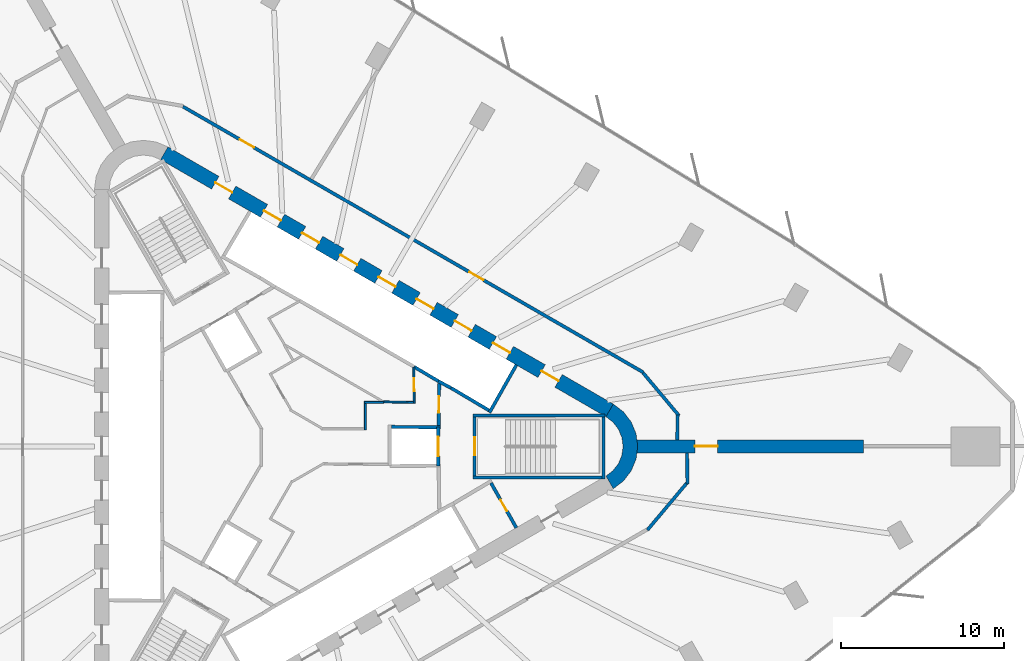
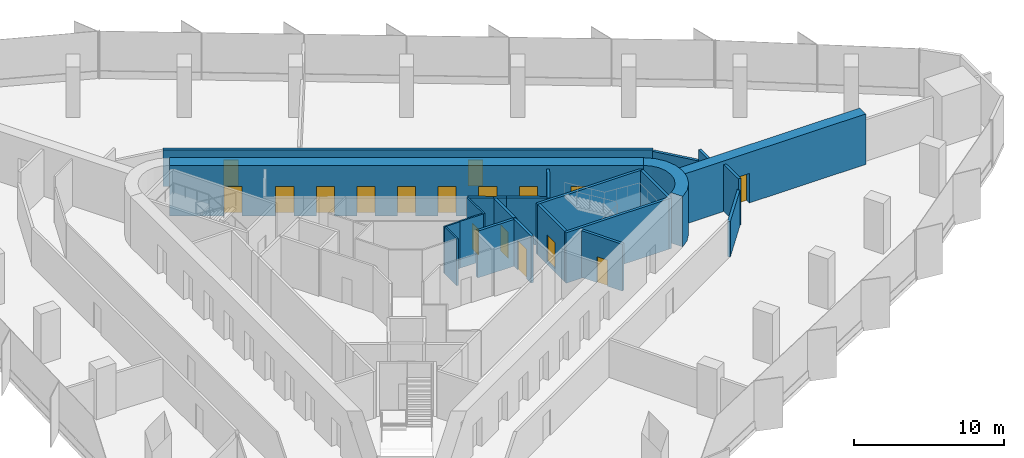
# One storey, part 11 of 13: 24 walls, 17 doors, 17 openings.
"""IFC4 building model written with IfcOpenShell, lengths in metres."""

from ifc_helpers import new_model, si_unit, direction, frame, frame_2d, origin, place, context, subcontext, project, spatial, polyline, rectangle, outline, extrude, material, layer, layer_set, type_object, element, fill, save


model = new_model("IFC4")

# Units and contexts
model_context = context("Model", 3, precision=1e-05, world=origin(), true_north=direction((0.0, 1.0)))
body_context = subcontext(model_context, "Body", "Model", "MODEL_VIEW")
ifc_project = project(units=[si_unit("LENGTHUNIT", "METRE"), si_unit("AREAUNIT", "SQUARE_METRE"), si_unit("VOLUMEUNIT", "CUBIC_METRE"), si_unit("PLANEANGLEUNIT", "RADIAN"), si_unit("MASSUNIT", "GRAM", prefix="KILO")], contexts=[model_context])

# Site, building, storey
site_placement = place(None, origin())
site = spatial("IfcSite", under=ifc_project, at=site_placement, CompositionType="ELEMENT")
building_placement = place(site_placement, origin())
building = spatial("IfcBuilding", under=site, at=building_placement, Name="Tanit Gate Tower", CompositionType="ELEMENT")
storey_placement = place(building_placement, frame((0.0, 0.0, 61.89990234375)))
storey = spatial("IfcBuildingStorey", under=building, at=storey_placement, Name="L11", CompositionType="ELEMENT", Elevation=61.89990234375)

# Wall, opening, door
ifc_material_1 = material(Name="Concrete C60/75", Category="concrete")
ifc_layer_1 = layer(ifc_material_1, 0.800048828125)
ifc_layer_set_1 = layer_set([ifc_layer_1], Name="BUTTRESS FIN 800 C60/75")
wall_type_1 = type_object("IfcWallType", Name="BUTTRESS FIN 800 C60/75", PredefinedType="SHEAR", material=ifc_layer_set_1)
wall_1_placement = place(storey_placement, frame((21.14990234375, 0.0, 0.0), z_axis=(0.0, 0.0, 1.0), x_axis=(1.0, 0.0, 0.0)))
wall_1 = element("IfcWall", 1, at=wall_1_placement, inside=storey, type_object=wall_type_1, Name="BUTTRESS FIN", PredefinedType="SHEAR", context=body_context, shape_type="SweptSolid", body=[
    extrude(rectangle(XDim=13.884033203125, YDim=0.800048828125, at=frame_2d((6.94189453125, 0.0))), origin(), (0.0, 0.0, 1.0), 4.10009765625),
])
opening_1_placement = place(wall_1_placement, frame((3.550048828125, 0.0, 0.0)))
opening_1 = element("IfcOpeningElement", 2, at=opening_1_placement, cuts=wall_1, Name="Opening P14-S01-F-E-1", PredefinedType="OPENING", context=body_context, shape_type="SweptSolid", body=[
    extrude(rectangle(XDim=1.39990234375, YDim=2.39990234375, at=frame_2d((0.699951171875, 1.199951171875))), frame((0.0, 0.41015625, 0.0), z_axis=(0.0, -1.0, 0.0), x_axis=(1.0, 0.0, 0.0)), (0.0, 0.0, 1.0), 0.820068359375),
])
ifc_material_2 = material(Name="Timber door leaf", Category="wood")
door_type_1 = type_object("IfcDoorType", Name="INT-DOOR-FIN-PAIR-1400", OperationType="NOTDEFINED", PredefinedType="NOTDEFINED", material=ifc_material_2)
door_1_placement = place(opening_1_placement, origin())
door_1 = element("IfcDoor", 3, at=door_1_placement, inside=storey, type_object=door_type_1, Name="Door P14-S01-F-E-1", OperationType="DOUBLE_DOOR_SINGLE_SWING", OverallHeight=2.39990234375, OverallWidth=1.39990234375, PredefinedType="NOTDEFINED", context=body_context, shape_type="SweptSolid", body=[
    extrude(rectangle(XDim=1.39990234375, YDim=2.39990234375, at=frame_2d((0.699951171875, 1.199951171875))), frame((0.0, 0.02490234375, 0.0), z_axis=(0.0, -1.0, 0.0), x_axis=(1.0, 0.0, 0.0)), (0.0, 0.0, 1.0), 0.050048828125),
])
fill(opening_1, door_1)

# Wall, openings, doors
ifc_material_3 = material(Name="Concrete C60/75", Category="concrete")
ifc_layer_2 = layer(ifc_material_3, 0.89990234375)
ifc_layer_set_2 = layer_set([ifc_layer_2], Name="CORE WALL 900 C60/75")
wall_type_2 = type_object("IfcWallType", Name="CORE WALL 900 C60/75", PredefinedType="SHEAR", material=ifc_layer_set_2)
wall_2_placement = place(storey_placement, frame((19.47509765625, 2.20849609375, 0.0), z_axis=(0.0, 0.0, 1.0), x_axis=(-0.866028369851, 0.499994862586, 0.0)))
wall_2 = element("IfcWall", 4, at=wall_2_placement, inside=storey, type_object=wall_type_2, Name="CORE WALL", PredefinedType="SHEAR", context=body_context, shape_type="SweptSolid", body=[
    extrude(rectangle(XDim=31.523193359375, YDim=0.89990234375, at=frame_2d((15.76171875, 0.0))), origin(), (0.0, 0.0, 1.0), 4.10009765625),
])
opening_2_placement = place(wall_2_placement, frame((7.0615234375, 0.0, 0.0)))
opening_2 = element("IfcOpeningElement", 5, at=opening_2_placement, cuts=wall_2, Name="Opening LDLL8-S01", PredefinedType="OPENING", context=body_context, shape_type="SweptSolid", body=[
    extrude(rectangle(XDim=1.199951171875, YDim=2.39990234375, at=frame_2d((0.60009765625, 1.199951171875))), frame((0.0, 0.4599609375, 0.0), z_axis=(0.0, -1.0, 0.0), x_axis=(1.0, 0.0, 0.0)), (0.0, 0.0, 1.0), 0.919921875),
])
opening_3_placement = place(wall_2_placement, frame((9.76171875, 0.0, 0.0)))
opening_3 = element("IfcOpeningElement", 6, at=opening_3_placement, cuts=wall_2, Name="Opening LDLL9-S01", PredefinedType="OPENING", context=body_context, shape_type="SweptSolid", body=[
    extrude(rectangle(XDim=1.199951171875, YDim=2.39990234375, at=frame_2d((0.60009765625, 1.199951171875))), frame((0.0, 0.4599609375, 0.0), z_axis=(0.0, -1.0, 0.0), x_axis=(1.0, 0.0, 0.0)), (0.0, 0.0, 1.0), 0.919921875),
])
opening_4_placement = place(wall_2_placement, frame((12.461669921875, 0.0, 0.0)))
opening_4 = element("IfcOpeningElement", 7, at=opening_4_placement, cuts=wall_2, Name="Opening LDLL10-S01", PredefinedType="OPENING", context=body_context, shape_type="SweptSolid", body=[
    extrude(rectangle(XDim=1.199951171875, YDim=2.39990234375, at=frame_2d((0.60009765625, 1.199951171875))), frame((0.0, 0.4599609375, 0.0), z_axis=(0.0, -1.0, 0.0), x_axis=(1.0, 0.0, 0.0)), (0.0, 0.0, 1.0), 0.919921875),
])
opening_5_placement = place(wall_2_placement, frame((15.16162109375, 0.0, 0.0)))
opening_5 = element("IfcOpeningElement", 8, at=opening_5_placement, cuts=wall_2, Name="Opening LDSL1-S01", PredefinedType="OPENING", context=body_context, shape_type="SweptSolid", body=[
    extrude(rectangle(XDim=1.199951171875, YDim=2.39990234375, at=frame_2d((0.60009765625, 1.199951171875))), frame((0.0, 0.4599609375, 0.0), z_axis=(0.0, -1.0, 0.0), x_axis=(1.0, 0.0, 0.0)), (0.0, 0.0, 1.0), 0.919921875),
])
opening_6_placement = place(wall_2_placement, frame((17.861572265625, 0.0, 0.0)))
opening_6 = element("IfcOpeningElement", 9, at=opening_6_placement, cuts=wall_2, Name="Opening LDSL2-S01", PredefinedType="OPENING", context=body_context, shape_type="SweptSolid", body=[
    extrude(rectangle(XDim=1.199951171875, YDim=2.39990234375, at=frame_2d((0.60009765625, 1.199951171875))), frame((0.0, 0.4599609375, 0.0), z_axis=(0.0, -1.0, 0.0), x_axis=(1.0, 0.0, 0.0)), (0.0, 0.0, 1.0), 0.919921875),
])
opening_7_placement = place(wall_2_placement, frame((20.5615234375, 0.0, 0.0)))
opening_7 = element("IfcOpeningElement", 10, at=opening_7_placement, cuts=wall_2, Name="Opening LDSL3-S01", PredefinedType="OPENING", context=body_context, shape_type="SweptSolid", body=[
    extrude(rectangle(XDim=1.199951171875, YDim=2.39990234375, at=frame_2d((0.60009765625, 1.199951171875))), frame((0.0, 0.4599609375, 0.0), z_axis=(0.0, -1.0, 0.0), x_axis=(1.0, 0.0, 0.0)), (0.0, 0.0, 1.0), 0.919921875),
])
opening_8_placement = place(wall_2_placement, frame((23.26171875, 0.0, 0.0)))
opening_8 = element("IfcOpeningElement", 11, at=opening_8_placement, cuts=wall_2, Name="Opening LDSL4-S01", PredefinedType="OPENING", context=body_context, shape_type="SweptSolid", body=[
    extrude(rectangle(XDim=1.199951171875, YDim=2.39990234375, at=frame_2d((0.60009765625, 1.199951171875))), frame((0.0, 0.4599609375, 0.0), z_axis=(0.0, -1.0, 0.0), x_axis=(1.0, 0.0, 0.0)), (0.0, 0.0, 1.0), 0.919921875),
])
opening_9_placement = place(wall_2_placement, frame((3.611572265625, 0.0, 0.0)))
opening_9 = element("IfcOpeningElement", 12, at=opening_9_placement, cuts=wall_2, Name="Opening F12-S01-FL1", PredefinedType="OPENING", context=body_context, shape_type="SweptSolid", body=[
    extrude(rectangle(XDim=1.199951171875, YDim=2.39990234375, at=frame_2d((0.60009765625, 1.199951171875))), frame((0.0, 0.4599609375, 0.0), z_axis=(0.0, -1.0, 0.0), x_axis=(1.0, 0.0, 0.0)), (0.0, 0.0, 1.0), 0.919921875),
])
opening_10_placement = place(wall_2_placement, frame((26.711669921875, 0.0, 0.0)))
opening_10 = element("IfcOpeningElement", 13, at=opening_10_placement, cuts=wall_2, Name="Opening F12-S01-S2", PredefinedType="OPENING", context=body_context, shape_type="SweptSolid", body=[
    extrude(rectangle(XDim=1.199951171875, YDim=2.39990234375, at=frame_2d((0.60009765625, 1.199951171875))), frame((0.0, 0.4599609375, 0.0), z_axis=(0.0, -1.0, 0.0), x_axis=(1.0, 0.0, 0.0)), (0.0, 0.0, 1.0), 0.919921875),
])
ifc_material_4 = material(Name="Fire-rated steel door leaf", Category="steel")
door_type_2 = type_object("IfcDoorType", Name="INT-DOOR-FIRE-LOBBY-1200", OperationType="NOTDEFINED", PredefinedType="USERDEFINED", material=ifc_material_4)
door_2_placement = place(opening_9_placement, origin())
door_2 = element("IfcDoor", 14, at=door_2_placement, inside=storey, type_object=door_type_2, Name="Door F12-S01-FL1", ObjectType="FIRE DOOR", OperationType="SINGLE_SWING_RIGHT", OverallHeight=2.39990234375, OverallWidth=1.199951171875, PredefinedType="USERDEFINED", context=body_context, shape_type="SweptSolid", body=[
    extrude(rectangle(XDim=1.199951171875, YDim=2.39990234375, at=frame_2d((0.60009765625, 1.199951171875))), frame((0.0, 0.02490234375, 0.0), z_axis=(0.0, -1.0, 0.0), x_axis=(1.0, 0.0, 0.0)), (0.0, 0.0, 1.0), 0.050048828125),
])
fill(opening_9, door_2)
door_3_placement = place(opening_10_placement, origin())
door_3 = element("IfcDoor", 15, at=door_3_placement, inside=storey, type_object=door_type_2, Name="Door F12-S01-S2", ObjectType="FIRE DOOR", OperationType="SINGLE_SWING_RIGHT", OverallHeight=2.39990234375, OverallWidth=1.199951171875, PredefinedType="USERDEFINED", context=body_context, shape_type="SweptSolid", body=[
    extrude(rectangle(XDim=1.199951171875, YDim=2.39990234375, at=frame_2d((0.60009765625, 1.199951171875))), frame((0.0, 0.02490234375, 0.0), z_axis=(0.0, -1.0, 0.0), x_axis=(1.0, 0.0, 0.0)), (0.0, 0.0, 1.0), 0.050048828125),
])
fill(opening_10, door_3)
ifc_material_5 = material(Name="Stainless steel sliding door leaf", Category="steel")
door_type_3 = type_object("IfcDoorType", Name="INT-DOOR-LANDING-1200", OperationType="NOTDEFINED", PredefinedType="USERDEFINED", material=ifc_material_5)
door_4_placement = place(opening_2_placement, origin())
door_4 = element("IfcDoor", 16, at=door_4_placement, inside=storey, type_object=door_type_3, Name="Door LDLL8-S01", ObjectType="LANDING DOOR", OperationType="SLIDING_TO_LEFT", OverallHeight=2.39990234375, OverallWidth=1.199951171875, PredefinedType="USERDEFINED", context=body_context, shape_type="SweptSolid", body=[
    extrude(rectangle(XDim=1.199951171875, YDim=2.39990234375, at=frame_2d((0.60009765625, 1.199951171875))), frame((0.0, 0.02490234375, 0.0), z_axis=(0.0, -1.0, 0.0), x_axis=(1.0, 0.0, 0.0)), (0.0, 0.0, 1.0), 0.050048828125),
])
fill(opening_2, door_4)
door_5_placement = place(opening_3_placement, origin())
door_5 = element("IfcDoor", 17, at=door_5_placement, inside=storey, type_object=door_type_3, Name="Door LDLL9-S01", ObjectType="LANDING DOOR", OperationType="SLIDING_TO_LEFT", OverallHeight=2.39990234375, OverallWidth=1.199951171875, PredefinedType="USERDEFINED", context=body_context, shape_type="SweptSolid", body=[
    extrude(rectangle(XDim=1.199951171875, YDim=2.39990234375, at=frame_2d((0.60009765625, 1.199951171875))), frame((0.0, 0.02490234375, 0.0), z_axis=(0.0, -1.0, 0.0), x_axis=(1.0, 0.0, 0.0)), (0.0, 0.0, 1.0), 0.050048828125),
])
fill(opening_3, door_5)
door_6_placement = place(opening_4_placement, origin())
door_6 = element("IfcDoor", 18, at=door_6_placement, inside=storey, type_object=door_type_3, Name="Door LDLL10-S01", ObjectType="LANDING DOOR", OperationType="SLIDING_TO_LEFT", OverallHeight=2.39990234375, OverallWidth=1.199951171875, PredefinedType="USERDEFINED", context=body_context, shape_type="SweptSolid", body=[
    extrude(rectangle(XDim=1.199951171875, YDim=2.39990234375, at=frame_2d((0.60009765625, 1.199951171875))), frame((0.0, 0.02490234375, 0.0), z_axis=(0.0, -1.0, 0.0), x_axis=(1.0, 0.0, 0.0)), (0.0, 0.0, 1.0), 0.050048828125),
])
fill(opening_4, door_6)
door_7_placement = place(opening_5_placement, origin())
door_7 = element("IfcDoor", 19, at=door_7_placement, inside=storey, type_object=door_type_3, Name="Door LDSL1-S01", ObjectType="LANDING DOOR", OperationType="SLIDING_TO_LEFT", OverallHeight=2.39990234375, OverallWidth=1.199951171875, PredefinedType="USERDEFINED", context=body_context, shape_type="SweptSolid", body=[
    extrude(rectangle(XDim=1.199951171875, YDim=2.39990234375, at=frame_2d((0.60009765625, 1.199951171875))), frame((0.0, 0.02490234375, 0.0), z_axis=(0.0, -1.0, 0.0), x_axis=(1.0, 0.0, 0.0)), (0.0, 0.0, 1.0), 0.050048828125),
])
fill(opening_5, door_7)
door_8_placement = place(opening_6_placement, origin())
door_8 = element("IfcDoor", 20, at=door_8_placement, inside=storey, type_object=door_type_3, Name="Door LDSL2-S01", ObjectType="LANDING DOOR", OperationType="SLIDING_TO_LEFT", OverallHeight=2.39990234375, OverallWidth=1.199951171875, PredefinedType="USERDEFINED", context=body_context, shape_type="SweptSolid", body=[
    extrude(rectangle(XDim=1.199951171875, YDim=2.39990234375, at=frame_2d((0.60009765625, 1.199951171875))), frame((0.0, 0.02490234375, 0.0), z_axis=(0.0, -1.0, 0.0), x_axis=(1.0, 0.0, 0.0)), (0.0, 0.0, 1.0), 0.050048828125),
])
fill(opening_6, door_8)
door_9_placement = place(opening_7_placement, origin())
door_9 = element("IfcDoor", 21, at=door_9_placement, inside=storey, type_object=door_type_3, Name="Door LDSL3-S01", ObjectType="LANDING DOOR", OperationType="SLIDING_TO_LEFT", OverallHeight=2.39990234375, OverallWidth=1.199951171875, PredefinedType="USERDEFINED", context=body_context, shape_type="SweptSolid", body=[
    extrude(rectangle(XDim=1.199951171875, YDim=2.39990234375, at=frame_2d((0.60009765625, 1.199951171875))), frame((0.0, 0.02490234375, 0.0), z_axis=(0.0, -1.0, 0.0), x_axis=(1.0, 0.0, 0.0)), (0.0, 0.0, 1.0), 0.050048828125),
])
fill(opening_7, door_9)
door_10_placement = place(opening_8_placement, origin())
door_10 = element("IfcDoor", 22, at=door_10_placement, inside=storey, type_object=door_type_3, Name="Door LDSL4-S01", ObjectType="LANDING DOOR", OperationType="SLIDING_TO_LEFT", OverallHeight=2.39990234375, OverallWidth=1.199951171875, PredefinedType="USERDEFINED", context=body_context, shape_type="SweptSolid", body=[
    extrude(rectangle(XDim=1.199951171875, YDim=2.39990234375, at=frame_2d((0.60009765625, 1.199951171875))), frame((0.0, 0.02490234375, 0.0), z_axis=(0.0, -1.0, 0.0), x_axis=(1.0, 0.0, 0.0)), (0.0, 0.0, 1.0), 0.050048828125),
])
fill(opening_8, door_10)

# Wall
wall_3_placement = place(storey_placement, origin())
element("IfcWall", 23, at=wall_3_placement, inside=storey, type_object=wall_type_2, Name="CORE WALL CORNER", PredefinedType="SHEAR", context=body_context, shape_type="SweptSolid", body=[
    extrude(outline(polyline([(19.699951171875, -2.59814453125), (20.3212890625, -2.121337890625), (20.798095703125, -1.5), (21.097900390625, -0.776611328125), (21.199951171875, 0.0), (21.097900390625, 0.776611328125), (20.798095703125, 1.5), (20.3212890625, 2.121337890625), (19.699951171875, 2.59814453125), (19.25, 1.818603515625), (19.684814453125, 1.48486328125), (20.018798828125, 1.050048828125), (20.228515625, 0.54345703125), (20.300048828125, 0.0), (20.228515625, -0.54345703125), (20.018798828125, -1.050048828125), (19.684814453125, -1.48486328125), (19.25, -1.818603515625), (19.699951171875, -2.59814453125)])), origin(), (0.0, 0.0, 1.0), 4.10009765625),
])

# Wall, opening, door
ifc_material_6 = material(Name="Fire-rated gypsum board partition")
ifc_layer_3 = layer(ifc_material_6, 0.199951171875)
ifc_layer_set_3 = layer_set([ifc_layer_3], Name="INT-WALL-COMPARTMENT")
wall_type_3 = type_object("IfcWallType", Name="INT-WALL-COMPARTMENT", PredefinedType="PARTITIONING", material=ifc_layer_set_3)
wall_4_placement = place(storey_placement, frame((13.758056640625, -4.989501953125, 0.0), z_axis=(0.0, 0.0, 1.0), x_axis=(-0.491993409184, 0.87059892334, 0.0)))
wall_4 = element("IfcWall", 24, at=wall_4_placement, inside=storey, type_object=wall_type_3, Name="Wall Compartment W058", PredefinedType="PARTITIONING", context=body_context, shape_type="SweptSolid", body=[
    extrude(rectangle(XDim=3.150146484375, YDim=0.199951171875, at=frame_2d((1.5751953125, 0.0))), origin(), (0.0, 0.0, 1.0), 3.800048828125),
])
opening_11_placement = place(wall_4_placement, frame((1.175048828125, 0.0, 0.0)))
opening_11 = element("IfcOpeningElement", 25, at=opening_11_placement, cuts=wall_4, Name="Opening R08-S01-14", PredefinedType="OPENING", context=body_context, shape_type="SweptSolid", body=[
    extrude(rectangle(XDim=0.800048828125, YDim=2.10009765625, at=frame_2d((0.39990234375, 1.050048828125))), frame((0.0, 0.10986328125, 0.0), z_axis=(0.0, -1.0, 0.0), x_axis=(1.0, 0.0, 0.0)), (0.0, 0.0, 1.0), 0.219970703125),
])
ifc_material_7 = material(Name="Timber door leaf", Category="wood")
door_type_4 = type_object("IfcDoorType", Name="INT-DOOR-RISER-800", OperationType="NOTDEFINED", PredefinedType="USERDEFINED", material=ifc_material_7)
door_11_placement = place(opening_11_placement, origin())
door_11 = element("IfcDoor", 26, at=door_11_placement, inside=storey, type_object=door_type_4, Name="Door R08-S01-14", ObjectType="FIRE DOOR", OperationType="SINGLE_SWING_RIGHT", OverallHeight=2.10009765625, OverallWidth=0.800048828125, PredefinedType="USERDEFINED", context=body_context, shape_type="SweptSolid", body=[
    extrude(rectangle(XDim=0.800048828125, YDim=2.10009765625, at=frame_2d((0.39990234375, 1.050048828125))), frame((0.0, 0.02490234375, 0.0), z_axis=(0.0, -1.0, 0.0), x_axis=(1.0, 0.0, 0.0)), (0.0, 0.0, 1.0), 0.050048828125),
])
fill(opening_11, door_11)

wall_5_placement = place(storey_placement, frame((9.0009765625, 1.27001953125, 0.0), z_axis=(0.0, 0.0, 1.0), x_axis=(0.010783593937, 0.99994185536, 0.0)))
wall_5 = element("IfcWall", 27, at=wall_5_placement, inside=storey, type_object=wall_type_3, Name="Wall Compartment W060", PredefinedType="PARTITIONING", context=body_context, shape_type="SweptSolid", body=[
    extrude(rectangle(XDim=2.5810546875, YDim=0.199951171875, at=frame_2d((1.29052734375, 0.0))), origin(), (0.0, 0.0, 1.0), 3.800048828125),
])
opening_12_placement = place(wall_5_placement, frame((0.79052734375, 0.0, 0.0)))
opening_12 = element("IfcOpeningElement", 28, at=opening_12_placement, cuts=wall_5, Name="Opening F10-S01-02", PredefinedType="OPENING", context=body_context, shape_type="SweptSolid", body=[
    extrude(rectangle(XDim=1.0, YDim=2.10009765625, at=frame_2d((0.5, 1.050048828125))), frame((0.0, 0.10986328125, 0.0), z_axis=(0.0, -1.0, 0.0), x_axis=(1.0, 0.0, 0.0)), (0.0, 0.0, 1.0), 0.219970703125),
])
ifc_material_8 = material(Name="Fire-rated steel door leaf", Category="steel")
door_type_5 = type_object("IfcDoorType", Name="INT-DOOR-FIRE-1000", OperationType="NOTDEFINED", PredefinedType="USERDEFINED", material=ifc_material_8)
door_12_placement = place(opening_12_placement, origin())
door_12 = element("IfcDoor", 29, at=door_12_placement, inside=storey, type_object=door_type_5, Name="Door F10-S01-02", ObjectType="FIRE DOOR", OperationType="SINGLE_SWING_RIGHT", OverallHeight=2.10009765625, OverallWidth=1.0, PredefinedType="USERDEFINED", context=body_context, shape_type="SweptSolid", body=[
    extrude(rectangle(XDim=1.0, YDim=2.10009765625, at=frame_2d((0.5, 1.050048828125))), frame((0.0, 0.02490234375, 0.0), z_axis=(0.0, -1.0, 0.0), x_axis=(1.0, 0.0, 0.0)), (0.0, 0.0, 1.0), 0.050048828125),
])
fill(opening_12, door_12)

# Wall, openings, doors
wall_6_placement = place(storey_placement, frame((21.55224609375, 4.53076171875, 0.0), z_axis=(0.0, 0.0, 1.0), x_axis=(-0.866023703603, 0.500002944789, 0.0)))
wall_6 = element("IfcWall", 30, at=wall_6_placement, inside=storey, type_object=wall_type_3, Name="Wall Compartment W104", PredefinedType="PARTITIONING", context=body_context, shape_type="SweptSolid", body=[
    extrude(rectangle(XDim=32.598876953125, YDim=0.199951171875, at=frame_2d((16.29931640625, 0.0))), origin(), (0.0, 0.0, 1.0), 2.97998046875),
])
opening_13_placement = place(wall_6_placement, frame((27.5791015625, 0.0, 0.0)))
opening_13 = element("IfcOpeningElement", 31, at=opening_13_placement, cuts=wall_6, Name="Opening F10-S01-22", PredefinedType="OPENING", context=body_context, shape_type="SweptSolid", body=[
    extrude(rectangle(XDim=1.0, YDim=2.10009765625, at=frame_2d((0.5, 1.050048828125))), frame((0.0, 0.10986328125, 0.0), z_axis=(0.0, -1.0, 0.0), x_axis=(1.0, 0.0, 0.0)), (0.0, 0.0, 1.0), 0.219970703125),
])
opening_14_placement = place(wall_6_placement, frame((11.32958984375, 0.0, 0.0)))
opening_14 = element("IfcOpeningElement", 32, at=opening_14_placement, cuts=wall_6, Name="Opening F10-S01-23", PredefinedType="OPENING", context=body_context, shape_type="SweptSolid", body=[
    extrude(rectangle(XDim=1.0, YDim=2.10009765625, at=frame_2d((0.5, 1.050048828125))), frame((0.0, 0.10986328125, 0.0), z_axis=(0.0, -1.0, 0.0), x_axis=(1.0, 0.0, 0.0)), (0.0, 0.0, 1.0), 0.219970703125),
])
door_13_placement = place(opening_13_placement, origin())
door_13 = element("IfcDoor", 33, at=door_13_placement, inside=storey, type_object=door_type_5, Name="Door F10-S01-22", ObjectType="FIRE DOOR", OperationType="SINGLE_SWING_LEFT", OverallHeight=2.10009765625, OverallWidth=1.0, PredefinedType="USERDEFINED", context=body_context, shape_type="SweptSolid", body=[
    extrude(rectangle(XDim=1.0, YDim=2.10009765625, at=frame_2d((0.5, 1.050048828125))), frame((0.0, 0.02490234375, 0.0), z_axis=(0.0, -1.0, 0.0), x_axis=(1.0, 0.0, 0.0)), (0.0, 0.0, 1.0), 0.050048828125),
])
fill(opening_13, door_13)
door_14_placement = place(opening_14_placement, origin())
door_14 = element("IfcDoor", 34, at=door_14_placement, inside=storey, type_object=door_type_5, Name="Door F10-S01-23", ObjectType="FIRE DOOR", OperationType="SINGLE_SWING_LEFT", OverallHeight=2.10009765625, OverallWidth=1.0, PredefinedType="USERDEFINED", context=body_context, shape_type="SweptSolid", body=[
    extrude(rectangle(XDim=1.0, YDim=2.10009765625, at=frame_2d((0.5, 1.050048828125))), frame((0.0, 0.02490234375, 0.0), z_axis=(0.0, -1.0, 0.0), x_axis=(1.0, 0.0, 0.0)), (0.0, 0.0, 1.0), 0.050048828125),
])
fill(opening_14, door_14)

# Walls
wall_7_placement = place(storey_placement, frame((23.720458984375, 1.893798828125, 0.0), z_axis=(0.0, 0.0, 1.0), x_axis=(-0.642802187783, 0.766032210407, 0.0)))
element("IfcWall", 35, at=wall_7_placement, inside=storey, type_object=wall_type_3, Name="Wall Compartment W105", PredefinedType="PARTITIONING", context=body_context, shape_type="SweptSolid", body=[
    extrude(rectangle(XDim=3.40771484375, YDim=0.199951171875, at=frame_2d((1.703857421875, 0.0))), origin(), (0.0, 0.0, 1.0), 2.880126953125),
])
wall_8_placement = place(storey_placement, frame((23.622314453125, 0.39990234375, 0.0), z_axis=(0.0, 0.0, 1.0), x_axis=(0.015125657972, 0.999885600692, 0.0)))
element("IfcWall", 36, at=wall_8_placement, inside=storey, type_object=wall_type_3, Name="Wall Compartment W106", PredefinedType="PARTITIONING", context=body_context, shape_type="SweptSolid", body=[
    extrude(rectangle(XDim=1.533447265625, YDim=0.199951171875, at=frame_2d((0.7666015625, 0.0))), origin(), (0.0, 0.0, 1.0), 3.800048828125),
])
wall_9_placement = place(storey_placement, frame((24.247802734375, -2.316650390625, 0.0), z_axis=(0.0, 0.0, 1.0), x_axis=(-0.013627571522, 0.999907140336, 0.0)))
element("IfcWall", 37, at=wall_9_placement, inside=storey, type_object=wall_type_3, Name="Wall Compartment W107", PredefinedType="PARTITIONING", context=body_context, shape_type="SweptSolid", body=[
    extrude(rectangle(XDim=1.9169921875, YDim=0.199951171875, at=frame_2d((0.95849609375, 0.0))), origin(), (0.0, 0.0, 1.0), 3.800048828125),
])
wall_10_placement = place(storey_placement, frame((21.79296875, -5.124267578125, 0.0), z_axis=(0.0, 0.0, 1.0), x_axis=(0.642787733653, 0.766044339098, 0.0)))
element("IfcWall", 38, at=wall_10_placement, inside=storey, type_object=wall_type_3, Name="Wall Compartment W108", PredefinedType="PARTITIONING", context=body_context, shape_type="SweptSolid", body=[
    extrude(rectangle(XDim=3.767333984375, YDim=0.199951171875, at=frame_2d((1.8837890625, 0.0))), origin(), (0.0, 0.0, 1.0), 2.880126953125),
])

# Wall, opening, door
ifc_material_9 = material(Name="Gypsum board partition")
ifc_layer_4 = layer(ifc_material_9, 0.1201171875)
ifc_layer_set_4 = layer_set([ifc_layer_4], Name="INT-WALL-PARTITION")
wall_type_4 = type_object("IfcWallType", Name="INT-WALL-PARTITION", PredefinedType="PARTITIONING", material=ifc_layer_set_4)
wall_11_placement = place(storey_placement, frame((7.500732421875, 2.639892578125, 0.0), z_axis=(0.0, 0.0, 1.0), x_axis=(-0.01174194727, 0.999931060961, 0.0)))
wall_11 = element("IfcWall", 39, at=wall_11_placement, inside=storey, type_object=wall_type_4, Name="Wall Partition W077", PredefinedType="PARTITIONING", context=body_context, shape_type="SweptSolid", body=[
    extrude(rectangle(XDim=2.224853515625, YDim=0.1201171875, at=frame_2d((1.1123046875, 0.0))), origin(), (0.0, 0.0, 1.0), 3.800048828125),
])
opening_15_placement = place(wall_11_placement, frame((0.7421875, 0.0, 0.0)))
opening_15 = element("IfcOpeningElement", 40, at=opening_15_placement, cuts=wall_11, Name="Opening R08-S01-12", PredefinedType="OPENING", context=body_context, shape_type="SweptSolid", body=[
    extrude(rectangle(XDim=0.800048828125, YDim=2.10009765625, at=frame_2d((0.39990234375, 1.050048828125))), frame((0.0, 0.070068359375, 0.0), z_axis=(0.0, -1.0, 0.0), x_axis=(1.0, 0.0, 0.0)), (0.0, 0.0, 1.0), 0.14013671875),
])
door_15_placement = place(opening_15_placement, origin())
door_15 = element("IfcDoor", 41, at=door_15_placement, inside=storey, type_object=door_type_4, Name="Door R08-S01-12", ObjectType="FIRE DOOR", OperationType="SINGLE_SWING_LEFT", OverallHeight=2.10009765625, OverallWidth=0.800048828125, PredefinedType="USERDEFINED", context=body_context, shape_type="SweptSolid", body=[
    extrude(rectangle(XDim=0.800048828125, YDim=2.10009765625, at=frame_2d((0.39990234375, 1.050048828125))), frame((0.0, 0.02490234375, 0.0), z_axis=(0.0, -1.0, 0.0), x_axis=(1.0, 0.0, 0.0)), (0.0, 0.0, 1.0), 0.050048828125),
])
fill(opening_15, door_15)

# Walls
wall_12_placement = place(storey_placement, frame((5.616943359375, 2.72900390625, 0.0), z_axis=(0.0, 0.0, 1.0), x_axis=(0.999881424181, -0.015399271967, 0.0)))
element("IfcWall", 42, at=wall_12_placement, inside=storey, type_object=wall_type_4, Name="Wall Partition W078", PredefinedType="PARTITIONING", context=body_context, shape_type="SweptSolid", body=[
    extrude(rectangle(XDim=1.8232421875, YDim=0.1201171875, at=frame_2d((0.91162109375, 0.0))), origin(), (0.0, 0.0, 1.0), 3.800048828125),
])
wall_13_placement = place(storey_placement, frame((4.43994140625, 2.699951171875, 0.0), z_axis=(0.0, 0.0, 1.0), x_axis=(1.0, 0.0, 0.0)))
element("IfcWall", 43, at=wall_13_placement, inside=storey, type_object=wall_type_4, Name="Wall Partition W079", PredefinedType="PARTITIONING", context=body_context, shape_type="SweptSolid", body=[
    extrude(rectangle(XDim=1.1767578125, YDim=0.1201171875, at=frame_2d((0.58837890625, 0.0))), origin(), (0.0, 0.0, 1.0), 3.800048828125),
])
wall_14_placement = place(storey_placement, frame((4.5, 1.014892578125, 0.0), z_axis=(0.0, 0.0, 1.0), x_axis=(0.0, 1.0, 0.0)))
element("IfcWall", 44, at=wall_14_placement, inside=storey, type_object=wall_type_4, Name="Wall Partition W080", PredefinedType="PARTITIONING", context=body_context, shape_type="SweptSolid", body=[
    extrude(rectangle(XDim=1.625, YDim=0.1201171875, at=frame_2d((0.8125, 0.0))), origin(), (0.0, 0.0, 1.0), 3.800048828125),
])
ifc_material_10 = material(Name="Gypsum shaft wall system")
ifc_layer_5 = layer(ifc_material_10, 0.199951171875)
ifc_layer_set_5 = layer_set([ifc_layer_5], Name="INT-WALL-SHAFT")
wall_type_5 = type_object("IfcWallType", Name="INT-WALL-SHAFT", PredefinedType="PLUMBINGWALL", material=ifc_layer_set_5)
wall_15_placement = place(storey_placement, frame((12.10986328125, 2.07275390625, 0.0), z_axis=(0.0, 0.0, 1.0), x_axis=(0.49196600604, 0.870614408852, 0.0)))
element("IfcWall", 45, at=wall_15_placement, inside=storey, type_object=wall_type_5, Name="Wall Shaft W013", PredefinedType="PLUMBINGWALL", context=body_context, shape_type="SweptSolid", body=[
    extrude(rectangle(XDim=3.35009765625, YDim=0.199951171875, at=frame_2d((1.675048828125, 0.0))), origin(), (0.0, 0.0, 1.0), 3.800048828125),
])
wall_16_placement = place(storey_placement, frame((12.072998046875, 2.2109375, 0.0), z_axis=(0.0, 0.0, 1.0), x_axis=(-0.860438357912, 0.509554542943, 0.0)))
element("IfcWall", 46, at=wall_16_placement, inside=storey, type_object=wall_type_5, Name="Wall Shaft W014", PredefinedType="PLUMBINGWALL", context=body_context, shape_type="SweptSolid", body=[
    extrude(rectangle(XDim=2.700439453125, YDim=0.199951171875, at=frame_2d((1.35009765625, 0.0))), origin(), (0.0, 0.0, 1.0), 3.800048828125),
])
wall_17_placement = place(storey_placement, frame((9.74755859375, 3.583251953125, 0.0), z_axis=(0.0, 0.0, 1.0), x_axis=(-0.880917147855, 0.473270513147, 0.0)))
element("IfcWall", 47, at=wall_17_placement, inside=storey, type_object=wall_type_5, Name="Wall Shaft W015", PredefinedType="PLUMBINGWALL", context=body_context, shape_type="SweptSolid", body=[
    extrude(rectangle(XDim=0.8779296875, YDim=0.199951171875, at=frame_2d((0.43896484375, 0.0))), origin(), (0.0, 0.0, 1.0), 3.800048828125),
])
wall_18_placement = place(storey_placement, frame((9.07958984375, 3.93701171875, 0.0), z_axis=(0.0, 0.0, 1.0), x_axis=(-0.859981807212, 0.510324691999, 0.0)))
element("IfcWall", 48, at=wall_18_placement, inside=storey, type_object=wall_type_5, Name="Wall Shaft W016", PredefinedType="PLUMBINGWALL", context=body_context, shape_type="SweptSolid", body=[
    extrude(rectangle(XDim=1.8447265625, YDim=0.199951171875, at=frame_2d((0.92236328125, 0.0))), origin(), (0.0, 0.0, 1.0), 3.800048828125),
])

# Wall, opening, door
wall_19_placement = place(storey_placement, frame((8.969970703125, 1.199951171875, 0.0), z_axis=(0.0, 0.0, 1.0), x_axis=(0.0, -1.0, 0.0)))
wall_19 = element("IfcWall", 49, at=wall_19_placement, inside=storey, type_object=wall_type_5, Name="Wall Shaft W037", PredefinedType="PLUMBINGWALL", context=body_context, shape_type="SweptSolid", body=[
    extrude(rectangle(XDim=2.39990234375, YDim=0.199951171875, at=frame_2d((1.199951171875, 0.0))), origin(), (0.0, 0.0, 1.0), 3.800048828125),
])
opening_16_placement = place(wall_19_placement, frame((0.60009765625, 0.0, 0.0)))
opening_16 = element("IfcOpeningElement", 50, at=opening_16_placement, cuts=wall_19, Name="Opening LDFL1-L11", PredefinedType="OPENING", context=body_context, shape_type="SweptSolid", body=[
    extrude(rectangle(XDim=1.199951171875, YDim=2.39990234375, at=frame_2d((0.60009765625, 1.199951171875))), frame((0.0, 0.10986328125, 0.0), z_axis=(0.0, -1.0, 0.0), x_axis=(1.0, 0.0, 0.0)), (0.0, 0.0, 1.0), 0.219970703125),
])
door_16_placement = place(opening_16_placement, origin())
door_16 = element("IfcDoor", 51, at=door_16_placement, inside=storey, type_object=door_type_3, Name="Door LDFL1-L11", ObjectType="LANDING DOOR", OperationType="SLIDING_TO_LEFT", OverallHeight=2.39990234375, OverallWidth=1.199951171875, PredefinedType="USERDEFINED", context=body_context, shape_type="SweptSolid", body=[
    extrude(rectangle(XDim=1.199951171875, YDim=2.39990234375, at=frame_2d((0.60009765625, 1.199951171875))), frame((0.0, 0.02490234375, 0.0), z_axis=(0.0, -1.0, 0.0), x_axis=(1.0, 0.0, 0.0)), (0.0, 0.0, 1.0), 0.050048828125),
])
fill(opening_16, door_16)

# Walls
wall_20_placement = place(storey_placement, frame((9.10009765625, 1.1689453125, 0.0), z_axis=(0.0, 0.0, 1.0), x_axis=(-0.99994990606, 0.010009264196, 0.0)))
element("IfcWall", 52, at=wall_20_placement, inside=storey, type_object=wall_type_5, Name="Wall Shaft W040", PredefinedType="PLUMBINGWALL", context=body_context, shape_type="SweptSolid", body=[
    extrude(rectangle(XDim=3.000244140625, YDim=0.199951171875, at=frame_2d((1.5, 0.0))), origin(), (0.0, 0.0, 1.0), 3.800048828125),
])
ifc_material_11 = material(Name="Concrete C40/50", Category="concrete")
ifc_layer_6 = layer(ifc_material_11, 0.199951171875)
ifc_layer_set_6 = layer_set([ifc_layer_6], Name="INT-WALL-STAIR")
wall_type_6 = type_object("IfcWallType", Name="INT-WALL-STAIR", PredefinedType="SHEAR", material=ifc_layer_set_6)
wall_21_placement = place(storey_placement, frame((19.199951171875, 1.89990234375, -0.2998046875), z_axis=(0.0, 0.0, 1.0), x_axis=(-1.0, 0.0, 0.0)))
element("IfcWall", 53, at=wall_21_placement, inside=storey, type_object=wall_type_6, Name="Wall Stair W033", PredefinedType="SHEAR", context=body_context, shape_type="SweptSolid", body=[
    extrude(rectangle(XDim=8.099853515625, YDim=0.199951171875, at=frame_2d((4.0498046875, 0.0))), origin(), (0.0, 0.0, 1.0), 4.099853515625),
])
wall_22_placement = place(storey_placement, frame((19.10009765625, -2.0, -0.2998046875), z_axis=(0.0, 0.0, 1.0), x_axis=(0.0, 1.0, 0.0)))
element("IfcWall", 54, at=wall_22_placement, inside=storey, type_object=wall_type_6, Name="Wall Stair W034", PredefinedType="SHEAR", context=body_context, shape_type="SweptSolid", body=[
    extrude(rectangle(XDim=3.800048828125, YDim=0.199951171875, at=frame_2d((1.89990234375, 0.0))), origin(), (0.0, 0.0, 1.0), 4.099853515625),
])
wall_23_placement = place(storey_placement, frame((11.10009765625, -1.89990234375, -0.2998046875), z_axis=(0.0, 0.0, 1.0), x_axis=(1.0, 0.0, 0.0)))
element("IfcWall", 55, at=wall_23_placement, inside=storey, type_object=wall_type_6, Name="Wall Stair W035", PredefinedType="SHEAR", context=body_context, shape_type="SweptSolid", body=[
    extrude(rectangle(XDim=7.89990234375, YDim=0.199951171875, at=frame_2d((3.949951171875, 0.0))), origin(), (0.0, 0.0, 1.0), 4.099853515625),
])

# Wall, opening, door
wall_24_placement = place(storey_placement, frame((11.199951171875, -1.800048828125, -0.2998046875), z_axis=(0.0, 0.0, 1.0), x_axis=(0.0, 1.0, 0.0)))
wall_24 = element("IfcWall", 56, at=wall_24_placement, inside=storey, type_object=wall_type_6, Name="Wall Stair W036", PredefinedType="SHEAR", context=body_context, shape_type="SweptSolid", body=[
    extrude(rectangle(XDim=3.60009765625, YDim=0.199951171875, at=frame_2d((1.800048828125, 0.0))), origin(), (0.0, 0.0, 1.0), 4.099853515625),
])
opening_17_placement = place(wall_24_placement, frame((1.25, 0.0, 0.300048828125)))
opening_17 = element("IfcOpeningElement", 57, at=opening_17_placement, cuts=wall_24, Name="Opening S11-S01-01", PredefinedType="OPENING", context=body_context, shape_type="SweptSolid", body=[
    extrude(rectangle(XDim=1.10009765625, YDim=2.10009765625, at=frame_2d((0.550048828125, 1.050048828125))), frame((0.0, 0.10986328125, 0.0), z_axis=(0.0, -1.0, 0.0), x_axis=(1.0, 0.0, 0.0)), (0.0, 0.0, 1.0), 0.219970703125),
])
ifc_material_12 = material(Name="Timber door leaf", Category="wood")
door_type_6 = type_object("IfcDoorType", Name="INT-DOOR-STAIR-1100", OperationType="NOTDEFINED", PredefinedType="USERDEFINED", material=ifc_material_12)
door_17_placement = place(opening_17_placement, origin())
door_17 = element("IfcDoor", 58, at=door_17_placement, inside=storey, type_object=door_type_6, Name="Door S11-S01-01", ObjectType="FIRE DOOR", OperationType="SINGLE_SWING_LEFT", OverallHeight=2.10009765625, OverallWidth=1.10009765625, PredefinedType="USERDEFINED", context=body_context, shape_type="SweptSolid", body=[
    extrude(rectangle(XDim=1.10009765625, YDim=2.10009765625, at=frame_2d((0.550048828125, 1.050048828125))), frame((0.0, 0.02490234375, 0.0), z_axis=(0.0, -1.0, 0.0), x_axis=(1.0, 0.0, 0.0)), (0.0, 0.0, 1.0), 0.050048828125),
])
fill(opening_17, door_17)

save(model, "model.ifc")
